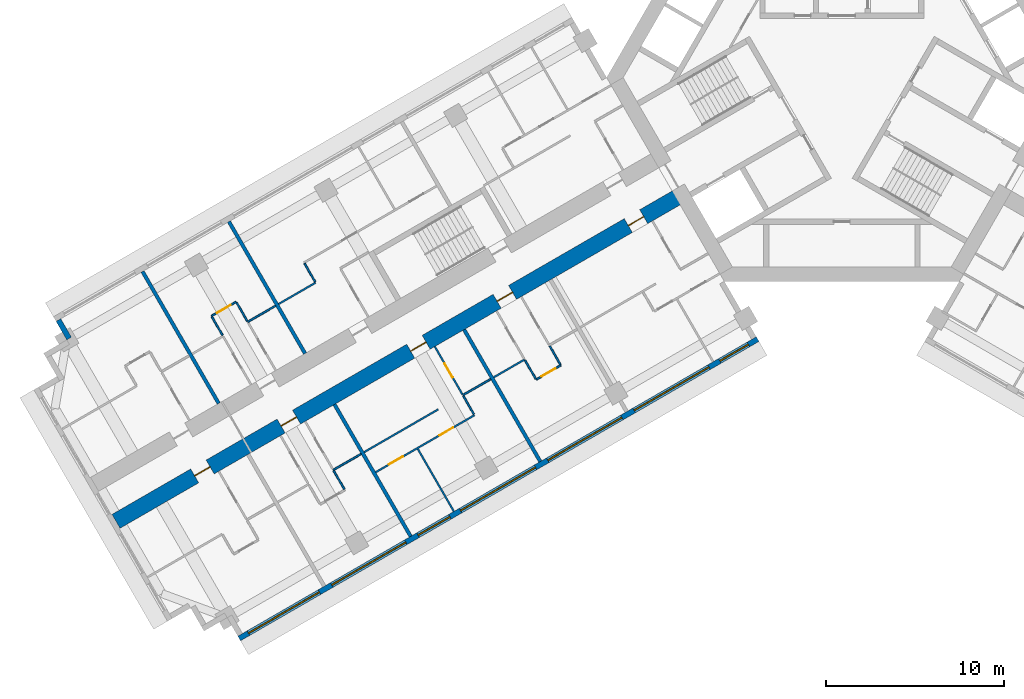
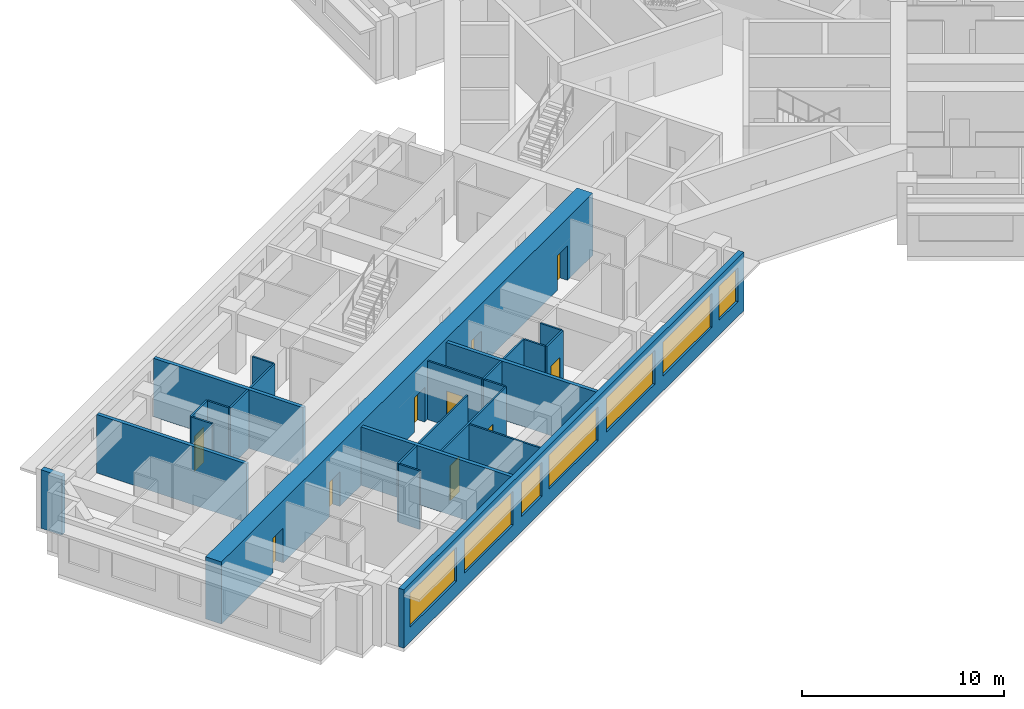
# One storey, part 4 of 15: 25 walls, 10 doors, 7 windows, 17 openings.
"""IFC4 building model written with IfcOpenShell, lengths in metres."""

import ifcopenshell
import ifcopenshell.guid

model = None  # the IFC model being written
_history = None  # IfcOwnerHistory: only IFC2X3 demands one
_inside = {}  # id of a spatial element -> (the spatial element, [elements in it])
_under = {}  # id of a project, library or spatial element -> (it, [spatial elements below it])
_declared = {}  # id of a project -> (the project, [libraries it declares])
_typed = {}  # id of a type object -> (the type object, [elements of that type])
_made_of = {}  # id of a material, layer set ... -> (it, [elements and type objects made of it])


def new_model(schema):
    """Start an empty IFC model of exactly this schema.

    Asked for "IFC4X3", IfcOpenShell would pick the latest addendum, in which some entities
    have other attributes; the version numbers below select the first issue.
    IFC2X3 requires an IfcOwnerHistory on every rooted entity: one is made here for all.
    """
    global model, _history
    if schema == "IFC4X3":
        model = ifcopenshell.file(schema_version=(4, 3, 0, 0))
    else:
        model = ifcopenshell.file(schema=schema)
    _inside.clear()
    _under.clear()
    _declared.clear()
    _typed.clear()
    _made_of.clear()
    _history = None
    if model.schema == "IFC2X3":
        org = make("IfcOrganization", Name="unknown")
        user = make(
            "IfcPersonAndOrganization",
            ThePerson=make("IfcPerson", FamilyName="unknown"),
            TheOrganization=org,
        )
        app = make(
            "IfcApplication",
            ApplicationDeveloper=org,
            Version="unknown",
            ApplicationFullName="unknown",
            ApplicationIdentifier="unknown",
        )
        _history = make(
            "IfcOwnerHistory",
            OwningUser=user,
            OwningApplication=app,
            ChangeAction="ADDED",
            CreationDate=0,
        )
    return model


def make(cls, **values):
    """One entity of the class cls with the attributes given. An attribute that is None is left unset."""
    return model.create_entity(
        cls, **{name: value for name, value in values.items() if value is not None}
    )


def rooted(cls, **values):
    """An entity with a GlobalId (a new one), such as an element, a storey or a relation."""
    return make(cls, GlobalId=ifcopenshell.guid.new(), OwnerHistory=_history, **values)


def si_unit(unit_type, name, prefix=None):
    """IfcSIUnit, for example si_unit("LENGTHUNIT", "METRE", prefix="MILLI")."""
    return make("IfcSIUnit", UnitType=unit_type, Prefix=prefix, Name=name)


def assignment(units):
    """IfcUnitAssignment: the units of a project."""
    return None if units is None else make("IfcUnitAssignment", Units=units)


def point(xyz):
    """IfcCartesianPoint."""
    return None if xyz is None else make("IfcCartesianPoint", Coordinates=xyz)


def direction(xyz):
    """IfcDirection."""
    return None if xyz is None else make("IfcDirection", DirectionRatios=xyz)


def frame(location, z_axis=None, x_axis=None):
    """IfcAxis2Placement3D, a coordinate frame: its origin and axes. An axis left out is left unset."""
    return make(
        "IfcAxis2Placement3D",
        Location=point(location),
        Axis=direction(z_axis),
        RefDirection=direction(x_axis),
    )


def frame_2d(location, x_axis=None):
    """IfcAxis2Placement2D, a coordinate frame in the plane: its origin and x axis."""
    return make(
        "IfcAxis2Placement2D", Location=point(location), RefDirection=direction(x_axis)
    )


def origin():
    """The frame at (0, 0, 0) with its axes left unset."""
    return frame((0.0, 0.0, 0.0))


def place(relative_to, where):
    """IfcLocalPlacement: puts the frame where relative to a parent placement (None: the world)."""
    return make(
        "IfcLocalPlacement", PlacementRelTo=relative_to, RelativePlacement=where
    )


def context(
    kind, dimensions, precision=None, world=None, true_north=None, identifier=None
):
    """IfcGeometricRepresentationContext, for example the 3D "Model" context."""
    return make(
        "IfcGeometricRepresentationContext",
        ContextIdentifier=identifier,
        ContextType=kind,
        CoordinateSpaceDimension=dimensions,
        Precision=precision,
        WorldCoordinateSystem=world,
        TrueNorth=true_north,
    )


def subcontext(parent, identifier, kind, view, scale=None):
    """IfcGeometricRepresentationSubContext, for example "Body" below "Model"."""
    return make(
        "IfcGeometricRepresentationSubContext",
        ContextIdentifier=identifier,
        ContextType=kind,
        ParentContext=parent,
        TargetScale=scale,
        TargetView=view,
    )


def project(units=None, contexts=None):
    """IfcProject with its units and contexts."""
    return rooted(
        "IfcProject",
        Name="project",
        RepresentationContexts=contexts,
        UnitsInContext=assignment(units),
    )


def spatial(cls, under=None, at=None, **own):
    """A site, building, storey or space (cls), placed at a placement, below another one or the project."""
    s = rooted(cls, ObjectPlacement=at, **own)
    if under is not None:
        _under.setdefault(under.id(), (under, []))[1].append(s)
    return s


def profile(cls, at=None, kind="AREA", **sizes):
    """A parametric profile (cls). Its sizes go by their IFC names, for example OverallWidth=200.0."""
    return make(cls, ProfileType=kind, Position=at, **sizes)


def rectangle(**sizes):
    """IfcRectangleProfileDef."""
    return profile("IfcRectangleProfileDef", **sizes)


def extrude(swept, where, along, depth):
    """IfcExtrudedAreaSolid: the profile swept, set in the frame where, extruded along a direction by depth."""
    return make(
        "IfcExtrudedAreaSolid",
        SweptArea=swept,
        Position=where,
        ExtrudedDirection=direction(along),
        Depth=depth,
    )


def shape(context_of_items, identifier, shape_type, items):
    """IfcShapeRepresentation: the items that make up one representation, for example the "Body"."""
    return make(
        "IfcShapeRepresentation",
        ContextOfItems=context_of_items,
        RepresentationIdentifier=identifier,
        RepresentationType=shape_type,
        Items=items,
    )


def material(Name=None, Category=None):
    """IfcMaterial."""
    return make("IfcMaterial", Name=Name, Category=Category)


def layer(
    of_material, thickness, ventilated=None, Name=None, Category=None, Priority=None
):
    """IfcMaterialLayer: one layer of a wall or slab, of a material (None: an air gap)."""
    return make(
        "IfcMaterialLayer",
        Material=of_material,
        LayerThickness=thickness,
        IsVentilated=ventilated,
        Name=Name,
        Category=Category,
        Priority=Priority,
    )


def layer_set(layers, Name=None):
    """IfcMaterialLayerSet."""
    return make("IfcMaterialLayerSet", MaterialLayers=layers, LayerSetName=Name)


def made_of(thing, what):
    """Note that an element or type object is made of a material, layer set ...; save() writes the relation."""
    if what is not None:
        _made_of.setdefault(what.id(), (what, []))[1].append(thing)
    return thing


def type_object(cls, material=None, **own):
    """A type object (cls), such as IfcWallType, which elements share."""
    return made_of(rooted(cls, **own), material)


def element(
    cls,
    number,
    at=None,
    inside=None,
    cuts=None,
    type_object=None,
    material=None,
    context=None,
    identifier="Body",
    shape_type=None,
    held_by="IfcProductDefinitionShape",
    body=None,
    shapes=None,
    **own,
):
    """One element of the class cls, such as IfcWall. Its Tag is "e" and its number.

    at: its placement. inside: the storey or other place that contains it. cuts: it is an
    opening in that element (IfcRelVoidsElement). A single representation is given by context,
    identifier, shape_type and body (its items); several are given by shapes. held_by: the class
    of the entity that holds the representations. save() writes the other relations.
    """
    e = rooted(cls, Tag="e%d" % number, ObjectPlacement=at, **own)
    if body is not None:
        shapes = [shape(context, identifier, shape_type, body)]
    if shapes is not None:
        e.Representation = make(held_by, Representations=shapes)
    if inside is not None:
        _inside.setdefault(inside.id(), (inside, []))[1].append(e)
    if cuts is not None:
        rooted(
            "IfcRelVoidsElement", RelatingBuildingElement=cuts, RelatedOpeningElement=e
        )
    if type_object is not None:
        _typed.setdefault(type_object.id(), (type_object, []))[1].append(e)
    return made_of(e, material)


def fill(opening, filler):
    """IfcRelFillsElement: the door or window that sits in an opening."""
    return rooted(
        "IfcRelFillsElement",
        RelatingOpeningElement=opening,
        RelatedBuildingElement=filler,
    )


def aggregate(whole, parts):
    """IfcRelAggregates: a whole, such as a stair, and the parts it consists of."""
    return rooted("IfcRelAggregates", RelatingObject=whole, RelatedObjects=parts)


def save(model, path):
    """Write the relations noted so far, then the file.

    IfcRelAggregates (storeys below a building ...), IfcRelContainedInSpatialStructure (elements
    in a storey), IfcRelDefinesByType, IfcRelAssociatesMaterial and IfcRelDeclares: one each for
    every whole, place, type object, material and project.
    """
    for whole, parts in _under.values():
        aggregate(whole, parts)
    for where, things in _inside.values():
        rooted(
            "IfcRelContainedInSpatialStructure",
            RelatedElements=things,
            RelatingStructure=where,
        )
    for kind, things in _typed.values():
        rooted("IfcRelDefinesByType", RelatedObjects=things, RelatingType=kind)
    for what, things in _made_of.values():
        rooted("IfcRelAssociatesMaterial", RelatedObjects=things, RelatingMaterial=what)
    for by, libraries in _declared.values():
        rooted("IfcRelDeclares", RelatingContext=by, RelatedDefinitions=libraries)
    model.write(path)


model = new_model("IFC4")

# Units and contexts
model_context = context("Model", 3, precision=1e-05, world=origin(), true_north=direction((0.0, 1.0)))
body_context = subcontext(model_context, "Body", "Model", "MODEL_VIEW")
ifc_project = project(units=[si_unit("LENGTHUNIT", "METRE"), si_unit("AREAUNIT", "SQUARE_METRE"), si_unit("VOLUMEUNIT", "CUBIC_METRE"), si_unit("PLANEANGLEUNIT", "RADIAN"), si_unit("MASSUNIT", "GRAM", prefix="KILO")], contexts=[model_context])

# Site, building, storey
site_placement = place(None, origin())
site = spatial("IfcSite", under=ifc_project, at=site_placement, CompositionType="ELEMENT")
building_placement = place(site_placement, origin())
building = spatial("IfcBuilding", under=site, at=building_placement, Name="Impinga Residences", CompositionType="ELEMENT")
storey_placement = place(building_placement, frame((0.0, 0.0, 109.75)))
storey = spatial("IfcBuildingStorey", under=building, at=storey_placement, Name="L26", CompositionType="ELEMENT", Elevation=109.75)

# Wall, openings, doors
ifc_material_1 = material(Name="Concrete C60/75", Category="concrete")
ifc_layer_1 = layer(ifc_material_1, 0.89990234375)
ifc_layer_set_1 = layer_set([ifc_layer_1], Name="Concrete C60/75")
wall_type_1 = type_object("IfcWallType", Name="BW2 corridor buttress wall, L24 to L44 900", PredefinedType="SHEAR", material=ifc_layer_set_1)
wall_1_placement = place(storey_placement, frame((-8.95361328125, -6.554931640625, 0.0), z_axis=(0.0, 0.0, 1.0), x_axis=(-0.866024733898, -0.500001160275, 0.0)))
wall_1 = element("IfcWall", 1, at=wall_1_placement, inside=storey, type_object=wall_type_1, Name="Corridor wall BW2 WC L26", PredefinedType="SHEAR", context=body_context, shape_type="SweptSolid", body=[
    extrude(rectangle(XDim=36.7001953125, YDim=0.89990234375, at=frame_2d((18.35009765625, 0.0))), origin(), (0.0, 0.0, 1.0), 3.75),
])
opening_1_placement = place(wall_1_placement, frame((2.5, 0.0, 0.0)))
opening_1 = element("IfcOpeningElement", 2, at=opening_1_placement, cuts=wall_1, Name="Opening D1", PredefinedType="OPENING", context=body_context, shape_type="SweptSolid", body=[
    extrude(rectangle(XDim=1.0, YDim=2.10009765625, at=frame_2d((0.5, 1.050048828125))), frame((0.0, 0.4599609375, 0.0), z_axis=(0.0, -1.0, 0.0), x_axis=(1.0, 0.0, 0.0)), (0.0, 0.0, 1.0), 0.919921875),
])
opening_2_placement = place(wall_1_placement, frame((11.0, 0.0, 0.0)))
opening_2 = element("IfcOpeningElement", 3, at=opening_2_placement, cuts=wall_1, Name="Opening D1", PredefinedType="OPENING", context=body_context, shape_type="SweptSolid", body=[
    extrude(rectangle(XDim=1.0, YDim=2.10009765625, at=frame_2d((0.5, 1.050048828125))), frame((0.0, 0.4599609375, 0.0), z_axis=(0.0, -1.0, 0.0), x_axis=(1.0, 0.0, 0.0)), (0.0, 0.0, 1.0), 0.919921875),
])
opening_3_placement = place(wall_1_placement, frame((16.60009765625, 0.0, 0.0)))
opening_3 = element("IfcOpeningElement", 4, at=opening_3_placement, cuts=wall_1, Name="Opening D1", PredefinedType="OPENING", context=body_context, shape_type="SweptSolid", body=[
    extrude(rectangle(XDim=1.0, YDim=2.10009765625, at=frame_2d((0.5, 1.050048828125))), frame((0.0, 0.4599609375, 0.0), z_axis=(0.0, -1.0, 0.0), x_axis=(1.0, 0.0, 0.0)), (0.0, 0.0, 1.0), 0.919921875),
])
opening_4_placement = place(wall_1_placement, frame((25.0, 0.0, 0.0)))
opening_4 = element("IfcOpeningElement", 5, at=opening_4_placement, cuts=wall_1, Name="Opening D1", PredefinedType="OPENING", context=body_context, shape_type="SweptSolid", body=[
    extrude(rectangle(XDim=1.0, YDim=2.10009765625, at=frame_2d((0.5, 1.050048828125))), frame((0.0, 0.4599609375, 0.0), z_axis=(0.0, -1.0, 0.0), x_axis=(1.0, 0.0, 0.0)), (0.0, 0.0, 1.0), 0.919921875),
])
opening_5_placement = place(wall_1_placement, frame((30.60009765625, 0.0, 0.0)))
opening_5 = element("IfcOpeningElement", 6, at=opening_5_placement, cuts=wall_1, Name="Opening D1", PredefinedType="OPENING", context=body_context, shape_type="SweptSolid", body=[
    extrude(rectangle(XDim=1.0, YDim=2.10009765625, at=frame_2d((0.5, 1.050048828125))), frame((0.0, 0.4599609375, 0.0), z_axis=(0.0, -1.0, 0.0), x_axis=(1.0, 0.0, 0.0)), (0.0, 0.0, 1.0), 0.919921875),
])
ifc_material_2 = material(Name="Timber door set", Category="wood")
door_type_1 = type_object("IfcDoorType", Name="D1 apartment entrance door 1000x2100", OperationType="SINGLE_SWING_LEFT", PredefinedType="DOOR", material=ifc_material_2)
door_1_placement = place(opening_1_placement, origin())
door_1 = element("IfcDoor", 7, at=door_1_placement, inside=storey, type_object=door_type_1, Name="Apartment L26-WA1 entrance", OperationType="SINGLE_SWING_LEFT", OverallHeight=2.10009765625, OverallWidth=1.0, PredefinedType="DOOR", context=body_context, shape_type="SweptSolid", body=[
    extrude(rectangle(XDim=1.0, YDim=2.10009765625, at=frame_2d((0.5, 1.050048828125))), frame((0.0, 0.02490234375, 0.0), z_axis=(0.0, -1.0, 0.0), x_axis=(1.0, 0.0, 0.0)), (0.0, 0.0, 1.0), 0.050048828125),
])
fill(opening_1, door_1)
door_2_placement = place(opening_2_placement, origin())
door_2 = element("IfcDoor", 8, at=door_2_placement, inside=storey, type_object=door_type_1, Name="Apartment L26-WA2 entrance", OperationType="SINGLE_SWING_LEFT", OverallHeight=2.10009765625, OverallWidth=1.0, PredefinedType="DOOR", context=body_context, shape_type="SweptSolid", body=[
    extrude(rectangle(XDim=1.0, YDim=2.10009765625, at=frame_2d((0.5, 1.050048828125))), frame((0.0, 0.02490234375, 0.0), z_axis=(0.0, -1.0, 0.0), x_axis=(1.0, 0.0, 0.0)), (0.0, 0.0, 1.0), 0.050048828125),
])
fill(opening_2, door_2)
door_3_placement = place(opening_3_placement, origin())
door_3 = element("IfcDoor", 9, at=door_3_placement, inside=storey, type_object=door_type_1, Name="Apartment L26-WA3 entrance", OperationType="SINGLE_SWING_LEFT", OverallHeight=2.10009765625, OverallWidth=1.0, PredefinedType="DOOR", context=body_context, shape_type="SweptSolid", body=[
    extrude(rectangle(XDim=1.0, YDim=2.10009765625, at=frame_2d((0.5, 1.050048828125))), frame((0.0, 0.02490234375, 0.0), z_axis=(0.0, -1.0, 0.0), x_axis=(1.0, 0.0, 0.0)), (0.0, 0.0, 1.0), 0.050048828125),
])
fill(opening_3, door_3)
door_4_placement = place(opening_4_placement, origin())
door_4 = element("IfcDoor", 10, at=door_4_placement, inside=storey, type_object=door_type_1, Name="Apartment L26-WA4 entrance", OperationType="SINGLE_SWING_RIGHT", OverallHeight=2.10009765625, OverallWidth=1.0, PredefinedType="DOOR", context=body_context, shape_type="SweptSolid", body=[
    extrude(rectangle(XDim=1.0, YDim=2.10009765625, at=frame_2d((0.5, 1.050048828125))), frame((0.0, 0.02490234375, 0.0), z_axis=(0.0, -1.0, 0.0), x_axis=(1.0, 0.0, 0.0)), (0.0, 0.0, 1.0), 0.050048828125),
])
fill(opening_4, door_4)
door_5_placement = place(opening_5_placement, origin())
door_5 = element("IfcDoor", 11, at=door_5_placement, inside=storey, type_object=door_type_1, Name="Apartment L26-WA5 entrance", OperationType="SINGLE_SWING_RIGHT", OverallHeight=2.10009765625, OverallWidth=1.0, PredefinedType="DOOR", context=body_context, shape_type="SweptSolid", body=[
    extrude(rectangle(XDim=1.0, YDim=2.10009765625, at=frame_2d((0.5, 1.050048828125))), frame((0.0, 0.02490234375, 0.0), z_axis=(0.0, -1.0, 0.0), x_axis=(1.0, 0.0, 0.0)), (0.0, 0.0, 1.0), 0.050048828125),
])
fill(opening_5, door_5)

# Wall
ifc_material_3 = material(Name="Terracotta rainscreen on blockwork", Category="masonry")
ifc_layer_2 = layer(ifc_material_3, 0.300048828125)
ifc_layer_set_2 = layer_set([ifc_layer_2], Name="EW1 external wall, terracotta rainscreen on blockwork 300")
wall_type_2 = type_object("IfcWallType", Name="EW1 external wall, terracotta rainscreen on blockwork 300", PredefinedType="SOLIDWALL", material=ifc_layer_set_2)
wall_2_placement = place(storey_placement, frame((-43.37109375, -14.64208984375, 0.0), z_axis=(0.0, 0.0, 1.0), x_axis=(-0.500029051137, 0.866008630453, 0.0)))
element("IfcWall", 12, at=wall_2_placement, inside=storey, type_object=wall_type_2, Name="External wall EW1 L26", PredefinedType="SOLIDWALL", context=body_context, shape_type="SweptSolid", body=[
    extrude(rectangle(XDim=1.19482421875, YDim=0.300048828125, at=frame_2d((0.597412109375, 0.0))), origin(), (0.0, 0.0, 1.0), 3.530029296875),
])

# Wall, openings, windows
wall_3_placement = place(storey_placement, frame((-4.72509765625, -14.67919921875, 0.0), z_axis=(0.0, 0.0, 1.0), x_axis=(-0.866024291668, -0.500001926238, 0.0)))
wall_3 = element("IfcWall", 13, at=wall_3_placement, inside=storey, type_object=wall_type_2, Name="External wall EW1 L26", PredefinedType="SOLIDWALL", context=body_context, shape_type="SweptSolid", body=[
    extrude(rectangle(XDim=33.599853515625, YDim=0.300048828125, at=frame_2d((16.7998046875, 0.0))), origin(), (0.0, 0.0, 1.0), 3.530029296875),
])
opening_6_placement = place(wall_3_placement, frame((0.60009765625, 0.0, 0.89990234375)))
opening_6 = element("IfcOpeningElement", 14, at=opening_6_placement, cuts=wall_3, Name="Opening W15", PredefinedType="OPENING", context=body_context, shape_type="SweptSolid", body=[
    extrude(rectangle(XDim=1.85009765625, YDim=2.050048828125, at=frame_2d((0.925048828125, 1.02490234375))), frame((0.0, 0.159912109375, 0.0), z_axis=(0.0, -1.0, 0.0), x_axis=(1.0, 0.0, 0.0)), (0.0, 0.0, 1.0), 0.320068359375),
])
opening_7_placement = place(wall_3_placement, frame((3.14990234375, 0.0, 0.89990234375)))
opening_7 = element("IfcOpeningElement", 15, at=opening_7_placement, cuts=wall_3, Name="Opening W6", PredefinedType="OPENING", context=body_context, shape_type="SweptSolid", body=[
    extrude(rectangle(XDim=4.85009765625, YDim=2.050048828125, at=frame_2d((2.425048828125, 1.02490234375))), frame((0.0, 0.159912109375, 0.0), z_axis=(0.0, -1.0, 0.0), x_axis=(1.0, 0.0, 0.0)), (0.0, 0.0, 1.0), 0.320068359375),
])
opening_8_placement = place(wall_3_placement, frame((8.800048828125, 0.0, 0.89990234375)))
opening_8 = element("IfcOpeningElement", 16, at=opening_8_placement, cuts=wall_3, Name="Opening W8", PredefinedType="OPENING", context=body_context, shape_type="SweptSolid", body=[
    extrude(rectangle(XDim=4.800048828125, YDim=2.050048828125, at=frame_2d((2.39990234375, 1.02490234375))), frame((0.0, 0.159912109375, 0.0), z_axis=(0.0, -1.0, 0.0), x_axis=(1.0, 0.0, 0.0)), (0.0, 0.0, 1.0), 0.320068359375),
])
opening_9_placement = place(wall_3_placement, frame((14.39990234375, 0.0, 0.89990234375)))
opening_9 = element("IfcOpeningElement", 17, at=opening_9_placement, cuts=wall_3, Name="Opening W6", PredefinedType="OPENING", context=body_context, shape_type="SweptSolid", body=[
    extrude(rectangle(XDim=4.85009765625, YDim=2.050048828125, at=frame_2d((2.425048828125, 1.02490234375))), frame((0.0, 0.159912109375, 0.0), z_axis=(0.0, -1.0, 0.0), x_axis=(1.0, 0.0, 0.0)), (0.0, 0.0, 1.0), 0.320068359375),
])
opening_10_placement = place(wall_3_placement, frame((19.949951171875, 0.0, 0.89990234375)))
opening_10 = element("IfcOpeningElement", 18, at=opening_10_placement, cuts=wall_3, Name="Opening W14", PredefinedType="OPENING", context=body_context, shape_type="SweptSolid", body=[
    extrude(rectangle(XDim=2.050048828125, YDim=2.050048828125, at=frame_2d((1.02490234375, 1.02490234375))), frame((0.0, 0.159912109375, 0.0), z_axis=(0.0, -1.0, 0.0), x_axis=(1.0, 0.0, 0.0)), (0.0, 0.0, 1.0), 0.320068359375),
])
opening_11_placement = place(wall_3_placement, frame((22.800048828125, 0.0, 0.89990234375)))
opening_11 = element("IfcOpeningElement", 19, at=opening_11_placement, cuts=wall_3, Name="Opening W8", PredefinedType="OPENING", context=body_context, shape_type="SweptSolid", body=[
    extrude(rectangle(XDim=4.800048828125, YDim=2.050048828125, at=frame_2d((2.39990234375, 1.02490234375))), frame((0.0, 0.159912109375, 0.0), z_axis=(0.0, -1.0, 0.0), x_axis=(1.0, 0.0, 0.0)), (0.0, 0.0, 1.0), 0.320068359375),
])
opening_12_placement = place(wall_3_placement, frame((28.39990234375, 0.0, 0.89990234375)))
opening_12 = element("IfcOpeningElement", 20, at=opening_12_placement, cuts=wall_3, Name="Opening W3", PredefinedType="OPENING", context=body_context, shape_type="SweptSolid", body=[
    extrude(rectangle(XDim=4.60009765625, YDim=2.050048828125, at=frame_2d((2.300048828125, 1.02490234375))), frame((0.0, 0.159912109375, 0.0), z_axis=(0.0, -1.0, 0.0), x_axis=(1.0, 0.0, 0.0)), (0.0, 0.0, 1.0), 0.320068359375),
])
ifc_material_4 = material(Name="Aluminium window, clear double glazing", Category="aluminium")
window_type_1 = type_object("IfcWindowType", Name="W14 ribbon window 2050x2050", PartitioningType="SINGLE_PANEL", PredefinedType="WINDOW", material=ifc_material_4)
window_1_placement = place(opening_10_placement, origin())
window_1 = element("IfcWindow", 21, at=window_1_placement, inside=storey, type_object=window_type_1, Name="Window L26", OverallHeight=2.050048828125, OverallWidth=2.050048828125, PartitioningType="SINGLE_PANEL", PredefinedType="WINDOW", context=body_context, shape_type="SweptSolid", body=[
    extrude(rectangle(XDim=2.050048828125, YDim=2.050048828125, at=frame_2d((1.02490234375, 1.02490234375))), frame((0.0, 0.030029296875, 0.0), z_axis=(0.0, -1.0, 0.0), x_axis=(1.0, 0.0, 0.0)), (0.0, 0.0, 1.0), 0.06005859375),
])
fill(opening_10, window_1)
window_type_2 = type_object("IfcWindowType", Name="W15 ribbon window 1850x2050", PartitioningType="SINGLE_PANEL", PredefinedType="WINDOW", material=ifc_material_4)
window_2_placement = place(opening_6_placement, origin())
window_2 = element("IfcWindow", 22, at=window_2_placement, inside=storey, type_object=window_type_2, Name="Window L26", OverallHeight=2.050048828125, OverallWidth=1.85009765625, PartitioningType="SINGLE_PANEL", PredefinedType="WINDOW", context=body_context, shape_type="SweptSolid", body=[
    extrude(rectangle(XDim=1.85009765625, YDim=2.050048828125, at=frame_2d((0.925048828125, 1.02490234375))), frame((0.0, 0.030029296875, 0.0), z_axis=(0.0, -1.0, 0.0), x_axis=(1.0, 0.0, 0.0)), (0.0, 0.0, 1.0), 0.06005859375),
])
fill(opening_6, window_2)
window_type_3 = type_object("IfcWindowType", Name="W3 ribbon window 4600x2050", PartitioningType="SINGLE_PANEL", PredefinedType="WINDOW", material=ifc_material_4)
window_3_placement = place(opening_12_placement, origin())
window_3 = element("IfcWindow", 23, at=window_3_placement, inside=storey, type_object=window_type_3, Name="Window L26", OverallHeight=2.050048828125, OverallWidth=4.60009765625, PartitioningType="SINGLE_PANEL", PredefinedType="WINDOW", context=body_context, shape_type="SweptSolid", body=[
    extrude(rectangle(XDim=4.60009765625, YDim=2.050048828125, at=frame_2d((2.300048828125, 1.02490234375))), frame((0.0, 0.030029296875, 0.0), z_axis=(0.0, -1.0, 0.0), x_axis=(1.0, 0.0, 0.0)), (0.0, 0.0, 1.0), 0.06005859375),
])
fill(opening_12, window_3)
window_type_4 = type_object("IfcWindowType", Name="W6 ribbon window 4850x2050", PartitioningType="SINGLE_PANEL", PredefinedType="WINDOW", material=ifc_material_4)
window_4_placement = place(opening_7_placement, origin())
window_4 = element("IfcWindow", 24, at=window_4_placement, inside=storey, type_object=window_type_4, Name="Window L26", OverallHeight=2.050048828125, OverallWidth=4.85009765625, PartitioningType="SINGLE_PANEL", PredefinedType="WINDOW", context=body_context, shape_type="SweptSolid", body=[
    extrude(rectangle(XDim=4.85009765625, YDim=2.050048828125, at=frame_2d((2.425048828125, 1.02490234375))), frame((0.0, 0.030029296875, 0.0), z_axis=(0.0, -1.0, 0.0), x_axis=(1.0, 0.0, 0.0)), (0.0, 0.0, 1.0), 0.06005859375),
])
fill(opening_7, window_4)
window_5_placement = place(opening_9_placement, origin())
window_5 = element("IfcWindow", 25, at=window_5_placement, inside=storey, type_object=window_type_4, Name="Window L26", OverallHeight=2.050048828125, OverallWidth=4.85009765625, PartitioningType="SINGLE_PANEL", PredefinedType="WINDOW", context=body_context, shape_type="SweptSolid", body=[
    extrude(rectangle(XDim=4.85009765625, YDim=2.050048828125, at=frame_2d((2.425048828125, 1.02490234375))), frame((0.0, 0.030029296875, 0.0), z_axis=(0.0, -1.0, 0.0), x_axis=(1.0, 0.0, 0.0)), (0.0, 0.0, 1.0), 0.06005859375),
])
fill(opening_9, window_5)
window_type_5 = type_object("IfcWindowType", Name="W8 ribbon window 4800x2050", PartitioningType="SINGLE_PANEL", PredefinedType="WINDOW", material=ifc_material_4)
window_6_placement = place(opening_8_placement, origin())
window_6 = element("IfcWindow", 26, at=window_6_placement, inside=storey, type_object=window_type_5, Name="Window L26", OverallHeight=2.050048828125, OverallWidth=4.800048828125, PartitioningType="SINGLE_PANEL", PredefinedType="WINDOW", context=body_context, shape_type="SweptSolid", body=[
    extrude(rectangle(XDim=4.800048828125, YDim=2.050048828125, at=frame_2d((2.39990234375, 1.02490234375))), frame((0.0, 0.030029296875, 0.0), z_axis=(0.0, -1.0, 0.0), x_axis=(1.0, 0.0, 0.0)), (0.0, 0.0, 1.0), 0.06005859375),
])
fill(opening_8, window_6)
window_7_placement = place(opening_11_placement, origin())
window_7 = element("IfcWindow", 27, at=window_7_placement, inside=storey, type_object=window_type_5, Name="Window L26", OverallHeight=2.050048828125, OverallWidth=4.800048828125, PartitioningType="SINGLE_PANEL", PredefinedType="WINDOW", context=body_context, shape_type="SweptSolid", body=[
    extrude(rectangle(XDim=4.800048828125, YDim=2.050048828125, at=frame_2d((2.39990234375, 1.02490234375))), frame((0.0, 0.030029296875, 0.0), z_axis=(0.0, -1.0, 0.0), x_axis=(1.0, 0.0, 0.0)), (0.0, 0.0, 1.0), 0.06005859375),
])
fill(opening_11, window_7)

# Wall
ifc_material_5 = material(Name="Gypsum board on steel studs", Category="steel")
ifc_layer_3 = layer(ifc_material_5, 0.10009765625)
ifc_layer_set_3 = layer_set([ifc_layer_3], Name="Gypsum board on steel studs")
wall_type_3 = type_object("IfcWallType", Name="IP1 partition 100", PredefinedType="PARTITIONING", material=ifc_layer_set_3)
wall_4_placement = place(storey_placement, frame((-17.8056640625, -15.82275390625, 0.0), z_axis=(0.0, 0.0, 1.0), x_axis=(-0.866041268327, -0.499972520799, 0.0)))
element("IfcWall", 28, at=wall_4_placement, inside=storey, type_object=wall_type_3, Name="Partition L26-WA2:DIV1", PredefinedType="PARTITIONING", context=body_context, shape_type="SweptSolid", body=[
    extrude(rectangle(XDim=2.0, YDim=0.10009765625, at=frame_2d((1.0, 0.0))), origin(), (0.0, 0.0, 1.0), 3.530029296875),
])

# Wall, opening, door
wall_5_placement = place(storey_placement, frame((-15.77001953125, -16.1484375, 0.0), z_axis=(0.0, 0.0, 1.0), x_axis=(-0.866028054938, -0.499995408039, 0.0)))
wall_5 = element("IfcWall", 29, at=wall_5_placement, inside=storey, type_object=wall_type_3, Name="Partition L26-WA2:STRIP", PredefinedType="PARTITIONING", context=body_context, shape_type="SweptSolid", body=[
    extrude(rectangle(XDim=1.60009765625, YDim=0.10009765625, at=frame_2d((0.800048828125, 0.0))), origin(), (0.0, 0.0, 1.0), 3.530029296875),
])
opening_13_placement = place(wall_5_placement, frame((0.35009765625, 0.0, 0.0)))
opening_13 = element("IfcOpeningElement", 30, at=opening_13_placement, cuts=wall_5, Name="Opening D2", PredefinedType="OPENING", context=body_context, shape_type="SweptSolid", body=[
    extrude(rectangle(XDim=0.89990234375, YDim=2.10009765625, at=frame_2d((0.449951171875, 1.050048828125))), frame((0.0, 0.06005859375, 0.0), z_axis=(0.0, -1.0, 0.0), x_axis=(1.0, 0.0, 0.0)), (0.0, 0.0, 1.0), 0.1201171875),
])
door_type_2 = type_object("IfcDoorType", Name="D2 internal door 900x2100", OperationType="SINGLE_SWING_LEFT", PredefinedType="DOOR", material=ifc_material_2)
door_6_placement = place(opening_13_placement, origin())
door_6 = element("IfcDoor", 31, at=door_6_placement, inside=storey, type_object=door_type_2, Name="Apartment L26-WA2 room door", OperationType="SINGLE_SWING_LEFT", OverallHeight=2.10009765625, OverallWidth=0.89990234375, PredefinedType="DOOR", context=body_context, shape_type="SweptSolid", body=[
    extrude(rectangle(XDim=0.89990234375, YDim=2.10009765625, at=frame_2d((0.449951171875, 1.050048828125))), frame((0.0, 0.02490234375, 0.0), z_axis=(0.0, -1.0, 0.0), x_axis=(1.0, 0.0, 0.0)), (0.0, 0.0, 1.0), 0.050048828125),
])
fill(opening_13, door_6)

# Walls
wall_6_placement = place(storey_placement, frame((-16.39501953125, -15.06591796875, 0.0), z_axis=(0.0, 0.0, 1.0), x_axis=(0.499880961361, -0.866094119867, 0.0)))
element("IfcWall", 32, at=wall_6_placement, inside=storey, type_object=wall_type_3, Name="Partition L26-WA2:SE0", PredefinedType="PARTITIONING", context=body_context, shape_type="SweptSolid", body=[
    extrude(rectangle(XDim=1.199951171875, YDim=0.10009765625, at=frame_2d((0.60009765625, 0.0))), origin(), (0.0, 0.0, 1.0), 3.530029296875),
])
wall_7_placement = place(storey_placement, frame((-17.78076171875, -15.865966796875, 0.0), z_axis=(0.0, 0.0, 1.0), x_axis=(0.500033551112, -0.866006032174, 0.0)))
element("IfcWall", 33, at=wall_7_placement, inside=storey, type_object=wall_type_3, Name="Partition L26-WA2:SE1", PredefinedType="PARTITIONING", context=body_context, shape_type="SweptSolid", body=[
    extrude(rectangle(XDim=1.2001953125, YDim=0.10009765625, at=frame_2d((0.60009765625, 0.0))), origin(), (0.0, 0.0, 1.0), 3.530029296875),
])
wall_8_placement = place(storey_placement, frame((-19.7109375, -16.922607421875, 0.0), z_axis=(0.0, 0.0, 1.0), x_axis=(-0.865989075817, -0.500062916607, 0.0)))
element("IfcWall", 34, at=wall_8_placement, inside=storey, type_object=wall_type_3, Name="Partition L26-WA3:DIV0", PredefinedType="PARTITIONING", context=body_context, shape_type="SweptSolid", body=[
    extrude(rectangle(XDim=1.800048828125, YDim=0.10009765625, at=frame_2d((0.89990234375, 0.0))), origin(), (0.0, 0.0, 1.0), 3.530029296875),
])
wall_9_placement = place(storey_placement, frame((-22.655517578125, -18.622802734375, 0.0), z_axis=(0.0, 0.0, 1.0), x_axis=(-0.866024647952, -0.500001309137, 0.0)))
element("IfcWall", 35, at=wall_9_placement, inside=storey, type_object=wall_type_3, Name="Partition L26-WA3:DIV1", PredefinedType="PARTITIONING", context=body_context, shape_type="SweptSolid", body=[
    extrude(rectangle(XDim=4.7998046875, YDim=0.10009765625, at=frame_2d((2.39990234375, 0.0))), origin(), (0.0, 0.0, 1.0), 3.530029296875),
])

# Wall, openings, doors
wall_10_placement = place(storey_placement, frame((-20.619873046875, -18.948486328125, 0.0), z_axis=(0.0, 0.0, 1.0), x_axis=(-0.866025499775, -0.499999833739, 0.0)))
wall_10 = element("IfcWall", 36, at=wall_10_placement, inside=storey, type_object=wall_type_3, Name="Partition L26-WA3:STRIP", PredefinedType="PARTITIONING", context=body_context, shape_type="SweptSolid", body=[
    extrude(rectangle(XDim=6.39990234375, YDim=0.10009765625, at=frame_2d((3.199951171875, 0.0))), origin(), (0.0, 0.0, 1.0), 3.530029296875),
])
opening_14_placement = place(wall_10_placement, frame((1.375, 0.0, 0.0)))
opening_14 = element("IfcOpeningElement", 37, at=opening_14_placement, cuts=wall_10, Name="Opening D2", PredefinedType="OPENING", context=body_context, shape_type="SweptSolid", body=[
    extrude(rectangle(XDim=0.89990234375, YDim=2.10009765625, at=frame_2d((0.449951171875, 1.050048828125))), frame((0.0, 0.06005859375, 0.0), z_axis=(0.0, -1.0, 0.0), x_axis=(1.0, 0.0, 0.0)), (0.0, 0.0, 1.0), 0.1201171875),
])
opening_15_placement = place(wall_10_placement, frame((4.625, 0.0, 0.0)))
opening_15 = element("IfcOpeningElement", 38, at=opening_15_placement, cuts=wall_10, Name="Opening D2", PredefinedType="OPENING", context=body_context, shape_type="SweptSolid", body=[
    extrude(rectangle(XDim=0.89990234375, YDim=2.10009765625, at=frame_2d((0.449951171875, 1.050048828125))), frame((0.0, 0.06005859375, 0.0), z_axis=(0.0, -1.0, 0.0), x_axis=(1.0, 0.0, 0.0)), (0.0, 0.0, 1.0), 0.1201171875),
])
door_7_placement = place(opening_14_placement, origin())
door_7 = element("IfcDoor", 39, at=door_7_placement, inside=storey, type_object=door_type_2, Name="Apartment L26-WA3 room door", OperationType="SINGLE_SWING_LEFT", OverallHeight=2.10009765625, OverallWidth=0.89990234375, PredefinedType="DOOR", context=body_context, shape_type="SweptSolid", body=[
    extrude(rectangle(XDim=0.89990234375, YDim=2.10009765625, at=frame_2d((0.449951171875, 1.050048828125))), frame((0.0, 0.02490234375, 0.0), z_axis=(0.0, -1.0, 0.0), x_axis=(1.0, 0.0, 0.0)), (0.0, 0.0, 1.0), 0.050048828125),
])
fill(opening_14, door_7)
door_8_placement = place(opening_15_placement, origin())
door_8 = element("IfcDoor", 40, at=door_8_placement, inside=storey, type_object=door_type_2, Name="Apartment L26-WA3 room door", OperationType="SINGLE_SWING_RIGHT", OverallHeight=2.10009765625, OverallWidth=0.89990234375, PredefinedType="DOOR", context=body_context, shape_type="SweptSolid", body=[
    extrude(rectangle(XDim=0.89990234375, YDim=2.10009765625, at=frame_2d((0.449951171875, 1.050048828125))), frame((0.0, 0.02490234375, 0.0), z_axis=(0.0, -1.0, 0.0), x_axis=(1.0, 0.0, 0.0)), (0.0, 0.0, 1.0), 0.050048828125),
])
fill(opening_15, door_8)

# Wall
wall_11_placement = place(storey_placement, frame((-21.244873046875, -17.865966796875, 0.0), z_axis=(0.0, 0.0, 1.0), x_axis=(0.500033551112, -0.866006032174, 0.0)))
element("IfcWall", 41, at=wall_11_placement, inside=storey, type_object=wall_type_3, Name="Partition L26-WA3:SE0", PredefinedType="PARTITIONING", context=body_context, shape_type="SweptSolid", body=[
    extrude(rectangle(XDim=1.2001953125, YDim=0.10009765625, at=frame_2d((0.60009765625, 0.0))), origin(), (0.0, 0.0, 1.0), 3.530029296875),
])

# Wall, opening, door
wall_12_placement = place(storey_placement, frame((-22.8447265625, -15.0947265625, 0.0), z_axis=(0.0, 0.0, 1.0), x_axis=(0.499967891604, -0.866043940782, 0.0)))
wall_12 = element("IfcWall", 42, at=wall_12_placement, inside=storey, type_object=wall_type_3, Name="Partition L26-WA3:IB1", PredefinedType="PARTITIONING", context=body_context, shape_type="SweptSolid", body=[
    extrude(rectangle(XDim=3.099853515625, YDim=0.10009765625, at=frame_2d((1.5498046875, 0.0))), origin(), (0.0, 0.0, 1.0), 3.530029296875),
])
opening_16_placement = place(wall_12_placement, frame((1.10009765625, 0.0, 0.0)))
opening_16 = element("IfcOpeningElement", 43, at=opening_16_placement, cuts=wall_12, Name="Opening D2", PredefinedType="OPENING", context=body_context, shape_type="SweptSolid", body=[
    extrude(rectangle(XDim=0.89990234375, YDim=2.10009765625, at=frame_2d((0.449951171875, 1.050048828125))), frame((0.0, 0.06005859375, 0.0), z_axis=(0.0, -1.0, 0.0), x_axis=(1.0, 0.0, 0.0)), (0.0, 0.0, 1.0), 0.1201171875),
])
door_9_placement = place(opening_16_placement, origin())
door_9 = element("IfcDoor", 44, at=door_9_placement, inside=storey, type_object=door_type_2, Name="Apartment L26-WA3 bathroom door", OperationType="SINGLE_SWING_LEFT", OverallHeight=2.10009765625, OverallWidth=0.89990234375, PredefinedType="DOOR", context=body_context, shape_type="SweptSolid", body=[
    extrude(rectangle(XDim=0.89990234375, YDim=2.10009765625, at=frame_2d((0.449951171875, 1.050048828125))), frame((0.0, 0.02490234375, 0.0), z_axis=(0.0, -1.0, 0.0), x_axis=(1.0, 0.0, 0.0)), (0.0, 0.0, 1.0), 0.050048828125),
])
fill(opening_16, door_9)

# Walls
wall_13_placement = place(storey_placement, frame((-23.799072265625, -20.841796875, 0.0), z_axis=(0.0, 0.0, 1.0), x_axis=(0.499990325971, -0.866030989016, 0.0)))
element("IfcWall", 45, at=wall_13_placement, inside=storey, type_object=wall_type_3, Name="Partition L26-WA3:OB1", PredefinedType="PARTITIONING", context=body_context, shape_type="SweptSolid", body=[
    extrude(rectangle(XDim=4.0498046875, YDim=0.10009765625, at=frame_2d((2.02490234375, 0.0))), origin(), (0.0, 0.0, 1.0), 3.530029296875),
])
wall_14_placement = place(storey_placement, frame((-26.985595703125, -21.122802734375, 0.0), z_axis=(0.0, 0.0, 1.0), x_axis=(-0.866047807691, -0.499961193289, 0.0)))
element("IfcWall", 46, at=wall_14_placement, inside=storey, type_object=wall_type_3, Name="Partition L26-WA4:DIV0", PredefinedType="PARTITIONING", context=body_context, shape_type="SweptSolid", body=[
    extrude(rectangle(XDim=1.800048828125, YDim=0.10009765625, at=frame_2d((0.89990234375, 0.0))), origin(), (0.0, 0.0, 1.0), 3.530029296875),
])
wall_15_placement = place(storey_placement, frame((-28.51953125, -22.06591796875, 0.0), z_axis=(0.0, 0.0, 1.0), x_axis=(0.500033551112, -0.866006032174, 0.0)))
element("IfcWall", 47, at=wall_15_placement, inside=storey, type_object=wall_type_3, Name="Partition L26-WA4:SE0", PredefinedType="PARTITIONING", context=body_context, shape_type="SweptSolid", body=[
    extrude(rectangle(XDim=1.2001953125, YDim=0.10009765625, at=frame_2d((0.60009765625, 0.0))), origin(), (0.0, 0.0, 1.0), 3.530029296875),
])
wall_16_placement = place(storey_placement, frame((-29.533935546875, -11.5087890625, 0.0), z_axis=(0.0, 0.0, 1.0), x_axis=(-0.866024647952, -0.500001309137, 0.0)))
element("IfcWall", 48, at=wall_16_placement, inside=storey, type_object=wall_type_3, Name="Partition L26-WF2:DIV1", PredefinedType="PARTITIONING", context=body_context, shape_type="SweptSolid", body=[
    extrude(rectangle(XDim=2.39990234375, YDim=0.10009765625, at=frame_2d((1.199951171875, 0.0))), origin(), (0.0, 0.0, 1.0), 3.530029296875),
])
wall_17_placement = place(storey_placement, frame((-29.558837890625, -11.465576171875, 0.0), z_axis=(0.0, 0.0, 1.0), x_axis=(-0.500033551112, 0.866006032174, 0.0)))
element("IfcWall", 49, at=wall_17_placement, inside=storey, type_object=wall_type_3, Name="Partition L26-WF2:SE1", PredefinedType="PARTITIONING", context=body_context, shape_type="SweptSolid", body=[
    extrude(rectangle(XDim=1.2001953125, YDim=0.10009765625, at=frame_2d((0.60009765625, 0.0))), origin(), (0.0, 0.0, 1.0), 3.530029296875),
])
wall_18_placement = place(storey_placement, frame((-31.78564453125, -12.808837890625, 0.0), z_axis=(0.0, 0.0, 1.0), x_axis=(-0.866047807691, -0.499961193289, 0.0)))
element("IfcWall", 50, at=wall_18_placement, inside=storey, type_object=wall_type_3, Name="Partition L26-WF3:DIV0", PredefinedType="PARTITIONING", context=body_context, shape_type="SweptSolid", body=[
    extrude(rectangle(XDim=1.800048828125, YDim=0.10009765625, at=frame_2d((0.89990234375, 0.0))), origin(), (0.0, 0.0, 1.0), 3.530029296875),
])

# Wall, opening, door
wall_19_placement = place(storey_placement, frame((-33.994384765625, -12.5830078125, 0.0), z_axis=(0.0, 0.0, 1.0), x_axis=(-0.866028054938, -0.499995408039, 0.0)))
wall_19 = element("IfcWall", 51, at=wall_19_placement, inside=storey, type_object=wall_type_3, Name="Partition L26-WF3:STRIP", PredefinedType="PARTITIONING", context=body_context, shape_type="SweptSolid", body=[
    extrude(rectangle(XDim=1.60009765625, YDim=0.10009765625, at=frame_2d((0.800048828125, 0.0))), origin(), (0.0, 0.0, 1.0), 3.530029296875),
])
opening_17_placement = place(wall_19_placement, frame((0.35009765625, 0.0, 0.0)))
opening_17 = element("IfcOpeningElement", 52, at=opening_17_placement, cuts=wall_19, Name="Opening D2", PredefinedType="OPENING", context=body_context, shape_type="SweptSolid", body=[
    extrude(rectangle(XDim=0.89990234375, YDim=2.10009765625, at=frame_2d((0.449951171875, 1.050048828125))), frame((0.0, 0.06005859375, 0.0), z_axis=(0.0, -1.0, 0.0), x_axis=(1.0, 0.0, 0.0)), (0.0, 0.0, 1.0), 0.1201171875),
])
door_10_placement = place(opening_17_placement, origin())
door_10 = element("IfcDoor", 53, at=door_10_placement, inside=storey, type_object=door_type_2, Name="Apartment L26-WF3 room door", OperationType="SINGLE_SWING_LEFT", OverallHeight=2.10009765625, OverallWidth=0.89990234375, PredefinedType="DOOR", context=body_context, shape_type="SweptSolid", body=[
    extrude(rectangle(XDim=0.89990234375, YDim=2.10009765625, at=frame_2d((0.449951171875, 1.050048828125))), frame((0.0, 0.02490234375, 0.0), z_axis=(0.0, -1.0, 0.0), x_axis=(1.0, 0.0, 0.0)), (0.0, 0.0, 1.0), 0.050048828125),
])
fill(opening_17, door_10)

# Walls
wall_20_placement = place(storey_placement, frame((-33.369384765625, -13.66552734375, 0.0), z_axis=(0.0, 0.0, 1.0), x_axis=(-0.500033551112, 0.866006032174, 0.0)))
element("IfcWall", 54, at=wall_20_placement, inside=storey, type_object=wall_type_3, Name="Partition L26-WF3:SE0", PredefinedType="PARTITIONING", context=body_context, shape_type="SweptSolid", body=[
    extrude(rectangle(XDim=1.2001953125, YDim=0.10009765625, at=frame_2d((0.60009765625, 0.0))), origin(), (0.0, 0.0, 1.0), 3.530029296875),
])
wall_21_placement = place(storey_placement, frame((-34.755126953125, -14.465576171875, 0.0), z_axis=(0.0, 0.0, 1.0), x_axis=(-0.499880961361, 0.866094119867, 0.0)))
element("IfcWall", 55, at=wall_21_placement, inside=storey, type_object=wall_type_3, Name="Partition L26-WF3:SE1", PredefinedType="PARTITIONING", context=body_context, shape_type="SweptSolid", body=[
    extrude(rectangle(XDim=1.199951171875, YDim=0.10009765625, at=frame_2d((0.60009765625, 0.0))), origin(), (0.0, 0.0, 1.0), 3.530029296875),
])
ifc_material_6 = material(Name="Concrete blockwork", Category="masonry")
ifc_layer_4 = layer(ifc_material_6, 0.199951171875)
ifc_layer_set_4 = layer_set([ifc_layer_4], Name="PW1 party wall between apartments 200")
wall_type_4 = type_object("IfcWallType", Name="PW1 party wall between apartments 200", PredefinedType="SOLIDWALL", material=ifc_layer_set_4)
for number, where, z_axis, x_axis, name in (
    (56, (-21.199462890625, -14.144775390625, 0.0), (0.0, 0.0, 1.0), (0.500011643316, -0.866018681408, 0.0), "Party wall between apartments L26-WA2:PARTY"),
    (57, (-28.473876953125, -18.3447265625, 0.0), (0.0, 0.0, 1.0), (0.499990227581, -0.86603104582, 0.0), "Party wall between apartments L26-WA3:PARTY"),
    (58, (-30.1240234375, -15.48681640625, 0.0), (0.0, 0.0, 1.0), (-0.499990227581, 0.86603104582, 0.0), "Party wall between apartments L26-WF2:PARTY"),
    (59, (-34.9736328125, -18.286865234375, 0.0), (0.0, 0.0, 1.0), (-0.500011643316, 0.866018681408, 0.0), "Party wall between apartments L26-WF3:PARTY"),
):
    element("IfcWall", number, at=place(storey_placement, frame(where, z_axis=z_axis, x_axis=x_axis)), inside=storey, type_object=wall_type_4, Name=name, PredefinedType="SOLIDWALL", context=body_context, shape_type="SweptSolid", body=[
        extrude(rectangle(XDim=8.550048828125, YDim=0.199951171875, at=frame_2d((4.27490234375, 0.0))), origin(), (0.0, 0.0, 1.0), 3.530029296875),
    ])

save(model, "model.ifc")
